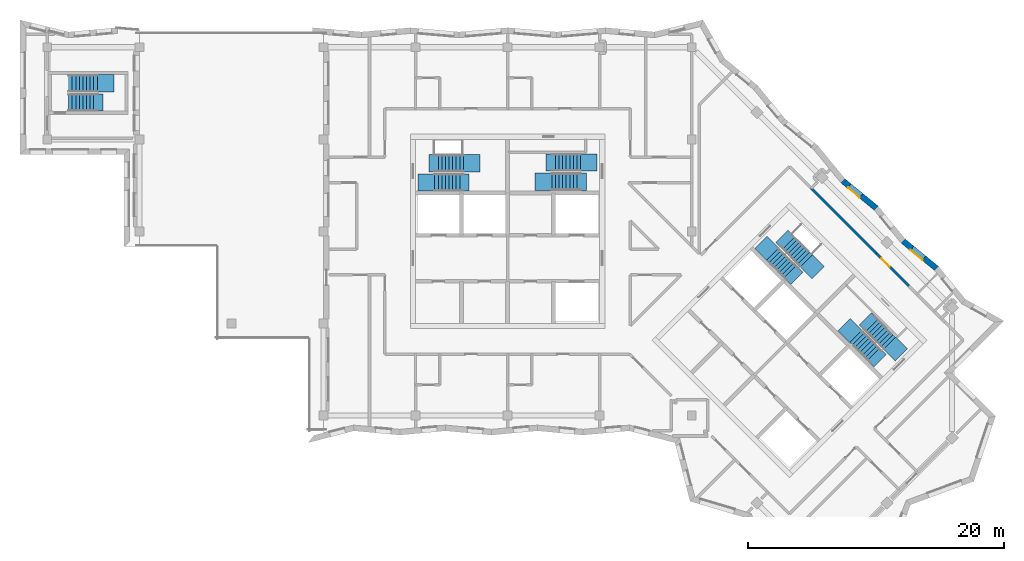
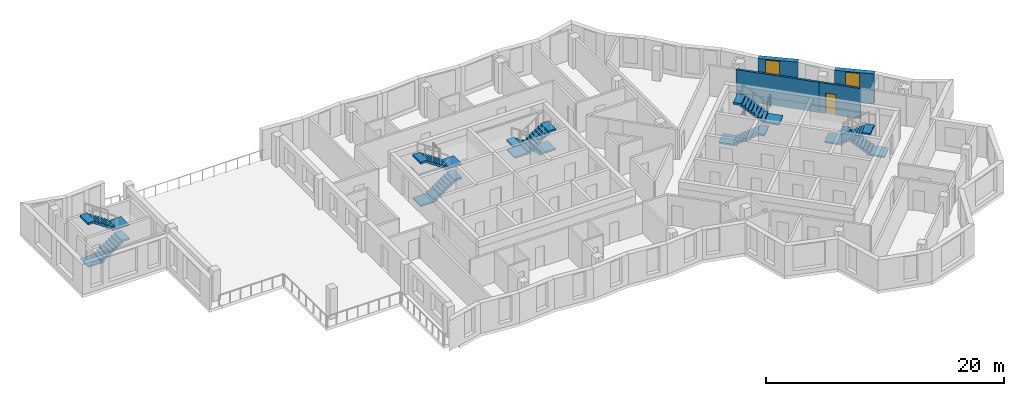
# One storey, part 8 of 12: 10 stair flights, 4 walls, 2 windows, 1 door, 3 openings, 5 elements without a shape of their own.
"""IFC4 building model written with IfcOpenShell, lengths in metres."""

from ifc_helpers import new_model, si_unit, direction, frame, frame_2d, origin, place, context, subcontext, project, spatial, polyline, rectangle, outline, extrude, material, layer, layer_set, type_object, element, fill, aggregate, save


model = new_model("IFC4")

# Units and contexts
model_context = context("Model", 3, precision=1e-05, world=origin(), true_north=direction((0.0, 1.0)))
body_context = subcontext(model_context, "Body", "Model", "MODEL_VIEW")
ifc_project = project(units=[si_unit("LENGTHUNIT", "METRE"), si_unit("AREAUNIT", "SQUARE_METRE"), si_unit("VOLUMEUNIT", "CUBIC_METRE"), si_unit("PLANEANGLEUNIT", "RADIAN"), si_unit("MASSUNIT", "GRAM", prefix="KILO")], contexts=[model_context])

# Site, building, storey
site_placement = place(None, origin())
site = spatial("IfcSite", under=ifc_project, at=site_placement, CompositionType="ELEMENT")
building_placement = place(site_placement, origin())
building = spatial("IfcBuilding", under=site, at=building_placement, Name="Windrow Commons", CompositionType="ELEMENT")
storey_placement = place(building_placement, frame((0.0, 0.0, 247.2)))
storey = spatial("IfcBuildingStorey", under=building, at=storey_placement, Name="L67", CompositionType="ELEMENT", Elevation=247.2)

# Wall, opening, window
ifc_material_1 = material(Name="Brick masonry, red clay brick", Category="masonry")
ifc_layer_1 = layer(ifc_material_1, 0.45)
ifc_layer_set_1 = layer_set([ifc_layer_1], Name="Brick facade wall 450")
wall_type_1 = type_object("IfcWallType", Name="Brick facade wall 450", PredefinedType="SOLIDWALL", material=ifc_layer_set_1)
wall_1_placement = place(storey_placement, frame((98.3254, 54.7186, 0.0), z_axis=(0.0, 0.0, 1.0), x_axis=(-0.7734281512, 0.6338839759, 0.0)))
wall_1 = element("IfcWall", 1, at=wall_1_placement, inside=storey, type_object=wall_type_1, Name="Brick facade wall L67 9", PredefinedType="SOLIDWALL", context=body_context, shape_type="SweptSolid", body=[
    extrude(outline(polyline([(-0.0223, -0.225), (3.3222, -0.225), (3.3669, 0.225), (0.0223, 0.225), (-0.0223, -0.225)])), origin(), (0.0, 0.0, 1.0), 3.1),
])
opening_1_placement = place(wall_1_placement, frame((1.2454, 0.0, 0.45)))
opening_1 = element("IfcOpeningElement", 2, at=opening_1_placement, cuts=wall_1, Name="Opening W7F", PredefinedType="OPENING", context=body_context, shape_type="SweptSolid", body=[
    extrude(rectangle(XDim=1.2, YDim=2.55, at=frame_2d((0.6, 1.275))), frame((0.0, 0.235, 0.0), z_axis=(0.0, -1.0, 0.0), x_axis=(1.0, 0.0, 0.0)), (0.0, 0.0, 1.0), 0.47),
])
ifc_material_2 = material(Name="Clear float glass in anodised aluminium frame", Category="aluminium")
window_type = type_object("IfcWindowType", Name="Window W7 notch 1200x2550", PartitioningType="SINGLE_PANEL", PredefinedType="WINDOW", material=ifc_material_2)
window_1_placement = place(opening_1_placement, origin())
window_1 = element("IfcWindow", 3, at=window_1_placement, inside=storey, type_object=window_type, Name="Window L67 9.1", OverallHeight=2.55, OverallWidth=1.2, PartitioningType="SINGLE_PANEL", PredefinedType="WINDOW", context=body_context, shape_type="SweptSolid", body=[
    extrude(rectangle(XDim=1.2, YDim=2.55, at=frame_2d((0.6, 1.275))), frame((0.0, 0.205, 0.0), z_axis=(0.0, -1.0, 0.0), x_axis=(1.0, 0.0, 0.0)), (0.0, 0.0, 1.0), 0.06),
])
fill(opening_1, window_1)

wall_2_placement = place(storey_placement, frame((93.6186, 59.4254, 0.0), z_axis=(0.0, 0.0, 1.0), x_axis=(-0.7734134923, 0.6339018614, 0.0)))
wall_2 = element("IfcWall", 4, at=wall_2_placement, inside=storey, type_object=wall_type_1, Name="Brick facade wall L67 11", PredefinedType="SOLIDWALL", context=body_context, shape_type="SweptSolid", body=[
    extrude(outline(polyline([(-0.0223, -0.225), (3.3222, -0.225), (3.3669, 0.225), (0.0223, 0.225), (-0.0223, -0.225)])), origin(), (0.0, 0.0, 1.0), 3.1),
])
opening_2_placement = place(wall_2_placement, frame((1.5185, 0.0, 0.45)))
opening_2 = element("IfcOpeningElement", 5, at=opening_2_placement, cuts=wall_2, Name="Opening W7F", PredefinedType="OPENING", context=body_context, shape_type="SweptSolid", body=[
    extrude(rectangle(XDim=1.2, YDim=2.55, at=frame_2d((0.6, 1.275))), frame((0.0, 0.235, 0.0), z_axis=(0.0, -1.0, 0.0), x_axis=(1.0, 0.0, 0.0)), (0.0, 0.0, 1.0), 0.47),
])
window_2_placement = place(opening_2_placement, origin())
window_2 = element("IfcWindow", 6, at=window_2_placement, inside=storey, type_object=window_type, Name="Window L67 11.1", OverallHeight=2.55, OverallWidth=1.2, PartitioningType="SINGLE_PANEL", PredefinedType="WINDOW", context=body_context, shape_type="SweptSolid", body=[
    extrude(rectangle(XDim=1.2, YDim=2.55, at=frame_2d((0.6, 1.275))), frame((0.0, 0.205, 0.0), z_axis=(0.0, -1.0, 0.0), x_axis=(1.0, 0.0, 0.0)), (0.0, 0.0, 1.0), 0.06),
])
fill(opening_2, window_2)

# Wall
ifc_material_3 = material(Name="Blockwork partition", Category="masonry")
ifc_layer_2 = layer(ifc_material_3, 0.2)
ifc_layer_set_2 = layer_set([ifc_layer_2], Name="IW-CORRIDOR-200")
wall_type_2 = type_object("IfcWallType", Name="IW-CORRIDOR-200", PredefinedType="PARTITIONING", material=ifc_layer_set_2)
wall_3_placement = place(storey_placement, frame((88.5346, 60.9706, 0.0), z_axis=(0.0, 0.0, 1.0), x_axis=(0.7069678741, -0.707245661, 0.0)))
element("IfcWall", 7, at=wall_3_placement, inside=storey, type_object=wall_type_2, Name="W-L67-W011", PredefinedType="PARTITIONING", context=body_context, shape_type="SweptSolid", body=[
    extrude(rectangle(XDim=7.1998, YDim=0.2, at=frame_2d((3.5999, 0.0))), origin(), (0.0, 0.0, 1.0), 3.1),
])

# Wall, opening, door
wall_4_placement = place(storey_placement, frame((93.629, 55.881, 0.0), z_axis=(0.0, 0.0, 1.0), x_axis=(0.7068288851, -0.7073845681, 0.0)))
wall_4 = element("IfcWall", 8, at=wall_4_placement, inside=storey, type_object=wall_type_2, Name="W-L67-W035", PredefinedType="PARTITIONING", context=body_context, shape_type="SweptSolid", body=[
    extrude(rectangle(XDim=3.5992, YDim=0.2, at=frame_2d((1.7996, 0.0))), origin(), (0.0, 0.0, 1.0), 3.1),
])
opening_3_placement = place(wall_4_placement, frame((0.5837, 0.0, 0.0)))
opening_3 = element("IfcOpeningElement", 9, at=opening_3_placement, cuts=wall_4, Name="Opening D109F", PredefinedType="OPENING", context=body_context, shape_type="SweptSolid", body=[
    extrude(rectangle(XDim=0.9, YDim=2.1, at=frame_2d((0.45, 1.05))), frame((0.0, 0.11, 0.0), z_axis=(0.0, -1.0, 0.0), x_axis=(1.0, 0.0, 0.0)), (0.0, 0.0, 1.0), 0.22),
])
ifc_material_4 = material(Name="Timber door leaf", Category="wood")
door_type = type_object("IfcDoorType", Name="DT-BEDROOM-900", OperationType="SINGLE_SWING_LEFT", PredefinedType="DOOR", material=ifc_material_4)
door_placement = place(opening_3_placement, origin())
door = element("IfcDoor", 10, at=door_placement, inside=storey, type_object=door_type, Name="D-L67-D020", OperationType="SINGLE_SWING_LEFT", OverallHeight=2.1, OverallWidth=0.9, PredefinedType="DOOR", context=body_context, shape_type="SweptSolid", body=[
    extrude(rectangle(XDim=0.9, YDim=2.1, at=frame_2d((0.45, 1.05))), frame((0.0, 0.025, 0.0), z_axis=(0.0, -1.0, 0.0), x_axis=(1.0, 0.0, 0.0)), (0.0, 0.0, 1.0), 0.05),
])
fill(opening_3, door)

# Stair, stair flights
ifc_material_5 = material(Name="Concrete C40/50", Category="concrete")
stair_type = type_object("IfcStairType", Name="Core stair", PredefinedType="HALF_TURN_STAIR", material=ifc_material_5)
placement = place(storey_placement, origin())
stair_1 = element("IfcStair", 11, at=placement, inside=storey, type_object=stair_type, Name="L67 Exit stair A1 core A", PredefinedType="HALF_TURN_STAIR")
ifc_material_6 = material(Name="Concrete C40/50", Category="concrete")
stair_flight_type = type_object("IfcStairFlightType", Name="Core stair flight", PredefinedType="STRAIGHT", material=ifc_material_6)
stair_flight_1_placement = place(storey_placement, frame((59.1, 61.425, 0.0), z_axis=(0.0, 0.0, 1.0), x_axis=(1.0, 0.0, 0.0)))
stair_flight_1 = element("IfcStairFlight", 12, at=stair_flight_1_placement, type_object=stair_flight_type, Name="ST-A1 flight 1", NumberOfRisers=9, NumberOfTreads=8, PredefinedType="STRAIGHT", RiserHeight=0.188888889, TreadLength=0.28, context=body_context, shape_type="SweptSolid", body=[
    extrude(outline(polyline([(-1.3, -0.15), (-1.3, 0.0), (0.0, 0.0), (0.0, 0.1889), (0.28, 0.1889), (0.28, 0.3778), (0.56, 0.3778), (0.56, 0.5667), (0.84, 0.5667), (0.84, 0.7556), (1.12, 0.7556), (1.12, 0.9444), (1.4, 0.9444), (1.4, 1.1333), (1.68, 1.1333), (1.68, 1.3222), (1.96, 1.3222), (1.96, 1.5111), (2.24, 1.5111), (2.69, 1.5111), (2.69, 1.3111), (2.24, 1.3111), (2.24, 1.3302), (0.2682, 0.0), (0.2682, -0.15), (-1.3, -0.15)])), frame((0.0, 0.675, 0.0), z_axis=(0.0, -1.0, 0.0), x_axis=(1.0, 0.0, 0.0)), (0.0, 0.0, 1.0), 1.35),
])
stair_flight_2_placement = place(storey_placement, frame((61.34, 62.925, 1.7), z_axis=(0.0, 0.0, 1.0), x_axis=(-1.0, 0.0, 0.0)))
stair_flight_2 = element("IfcStairFlight", 13, at=stair_flight_2_placement, type_object=stair_flight_type, Name="ST-A1 flight 2", NumberOfRisers=9, NumberOfTreads=8, PredefinedType="STRAIGHT", RiserHeight=0.188888889, TreadLength=0.28, context=body_context, shape_type="SweptSolid", body=[
    extrude(outline(polyline([(-1.3, -0.15), (-1.3, 0.0), (0.0, 0.0), (0.0, 0.1889), (0.28, 0.1889), (0.28, 0.3778), (0.56, 0.3778), (0.56, 0.5667), (0.84, 0.5667), (0.84, 0.7556), (1.12, 0.7556), (1.12, 0.9444), (1.4, 0.9444), (1.4, 1.1333), (1.68, 1.1333), (1.68, 1.3222), (1.96, 1.3222), (1.96, 1.5111), (2.24, 1.5111), (2.69, 1.5111), (2.69, 1.3111), (2.24, 1.3111), (2.24, 1.3302), (0.2682, 0.0), (0.2682, -0.15), (-1.3, -0.15)])), frame((0.0, 0.675, 0.0), z_axis=(0.0, -1.0, 0.0), x_axis=(1.0, 0.0, 0.0)), (0.0, 0.0, 1.0), 1.35),
])
aggregate(stair_1, [stair_flight_1, stair_flight_2])

stair_2 = element("IfcStair", 14, at=placement, inside=storey, type_object=stair_type, Name="L67 Exit stair A2 core A", PredefinedType="HALF_TURN_STAIR")
stair_flight_3_placement = place(storey_placement, frame((70.5, 62.98, 0.0), z_axis=(0.0, 0.0, 1.0), x_axis=(-1.0, 0.0, 0.0)))
stair_flight_3 = element("IfcStairFlight", 15, at=stair_flight_3_placement, type_object=stair_flight_type, Name="ST-A2 flight 1", NumberOfRisers=9, NumberOfTreads=8, PredefinedType="STRAIGHT", RiserHeight=0.188888889, TreadLength=0.28, context=body_context, shape_type="SweptSolid", body=[
    extrude(outline(polyline([(-1.3, -0.15), (-1.3, 0.0), (0.0, 0.0), (0.0, 0.1889), (0.28, 0.1889), (0.28, 0.3778), (0.56, 0.3778), (0.56, 0.5667), (0.84, 0.5667), (0.84, 0.7556), (1.12, 0.7556), (1.12, 0.9444), (1.4, 0.9444), (1.4, 1.1333), (1.68, 1.1333), (1.68, 1.3222), (1.96, 1.3222), (1.96, 1.5111), (2.24, 1.5111), (2.69, 1.5111), (2.69, 1.3111), (2.24, 1.3111), (2.24, 1.3302), (0.2682, 0.0), (0.2682, -0.15), (-1.3, -0.15)])), frame((0.0, 0.675, 0.0), z_axis=(0.0, -1.0, 0.0), x_axis=(1.0, 0.0, 0.0)), (0.0, 0.0, 1.0), 1.35),
])
stair_flight_4_placement = place(storey_placement, frame((68.26, 61.48, 1.7), z_axis=(0.0, 0.0, 1.0), x_axis=(1.0, 0.0, 0.0)))
stair_flight_4 = element("IfcStairFlight", 16, at=stair_flight_4_placement, type_object=stair_flight_type, Name="ST-A2 flight 2", NumberOfRisers=9, NumberOfTreads=8, PredefinedType="STRAIGHT", RiserHeight=0.188888889, TreadLength=0.28, context=body_context, shape_type="SweptSolid", body=[
    extrude(outline(polyline([(-1.3, -0.15), (-1.3, 0.0), (0.0, 0.0), (0.0, 0.1889), (0.28, 0.1889), (0.28, 0.3778), (0.56, 0.3778), (0.56, 0.5667), (0.84, 0.5667), (0.84, 0.7556), (1.12, 0.7556), (1.12, 0.9444), (1.4, 0.9444), (1.4, 1.1333), (1.68, 1.1333), (1.68, 1.3222), (1.96, 1.3222), (1.96, 1.5111), (2.24, 1.5111), (2.69, 1.5111), (2.69, 1.3111), (2.24, 1.3111), (2.24, 1.3302), (0.2682, 0.0), (0.2682, -0.15), (-1.3, -0.15)])), frame((0.0, 0.675, 0.0), z_axis=(0.0, -1.0, 0.0), x_axis=(1.0, 0.0, 0.0)), (0.0, 0.0, 1.0), 1.35),
])
aggregate(stair_2, [stair_flight_3, stair_flight_4])

stair_3 = element("IfcStair", 17, at=placement, inside=storey, type_object=stair_type, Name="L67 Exit stair B1 core B", PredefinedType="HALF_TURN_STAIR")
stair_flight_5_placement = place(storey_placement, frame((85.5109, 55.8249, 0.0), z_axis=(0.0, 0.0, 1.0), x_axis=(0.7071067812, -0.7071067812, 0.0)))
stair_flight_5 = element("IfcStairFlight", 18, at=stair_flight_5_placement, type_object=stair_flight_type, Name="ST-B1 flight 1", NumberOfRisers=9, NumberOfTreads=8, PredefinedType="STRAIGHT", RiserHeight=0.188888889, TreadLength=0.28, context=body_context, shape_type="SweptSolid", body=[
    extrude(outline(polyline([(-1.3, -0.15), (-1.3, 0.0), (0.0, 0.0), (0.0, 0.1889), (0.28, 0.1889), (0.28, 0.3778), (0.56, 0.3778), (0.56, 0.5667), (0.84, 0.5667), (0.84, 0.7556), (1.12, 0.7556), (1.12, 0.9444), (1.4, 0.9444), (1.4, 1.1333), (1.68, 1.1333), (1.68, 1.3222), (1.96, 1.3222), (1.96, 1.5111), (2.24, 1.5111), (2.69, 1.5111), (2.69, 1.3111), (2.24, 1.3111), (2.24, 1.3302), (0.2682, 0.0), (0.2682, -0.15), (-1.3, -0.15)])), frame((0.0, 0.675, 0.0), z_axis=(0.0, -1.0, 0.0), x_axis=(1.0, 0.0, 0.0)), (0.0, 0.0, 1.0), 1.35),
])
stair_flight_6_placement = place(storey_placement, frame((88.1555, 55.3017, 1.7), z_axis=(0.0, 0.0, 1.0), x_axis=(-0.7071067812, 0.7071067812, 0.0)))
stair_flight_6 = element("IfcStairFlight", 19, at=stair_flight_6_placement, type_object=stair_flight_type, Name="ST-B1 flight 2", NumberOfRisers=9, NumberOfTreads=8, PredefinedType="STRAIGHT", RiserHeight=0.188888889, TreadLength=0.28, context=body_context, shape_type="SweptSolid", body=[
    extrude(outline(polyline([(-1.3, -0.15), (-1.3, 0.0), (0.0, 0.0), (0.0, 0.1889), (0.28, 0.1889), (0.28, 0.3778), (0.56, 0.3778), (0.56, 0.5667), (0.84, 0.5667), (0.84, 0.7556), (1.12, 0.7556), (1.12, 0.9444), (1.4, 0.9444), (1.4, 1.1333), (1.68, 1.1333), (1.68, 1.3222), (1.96, 1.3222), (1.96, 1.5111), (2.24, 1.5111), (2.69, 1.5111), (2.69, 1.3111), (2.24, 1.3111), (2.24, 1.3302), (0.2682, 0.0), (0.2682, -0.15), (-1.3, -0.15)])), frame((0.0, 0.675, 0.0), z_axis=(0.0, -1.0, 0.0), x_axis=(1.0, 0.0, 0.0)), (0.0, 0.0, 1.0), 1.35),
])
aggregate(stair_3, [stair_flight_5, stair_flight_6])

stair_4 = element("IfcStair", 20, at=placement, inside=storey, type_object=stair_type, Name="L67 Exit stair B2 core B", PredefinedType="HALF_TURN_STAIR")
stair_flight_7_placement = place(storey_placement, frame((94.6715, 48.8635, 0.0), z_axis=(0.0, 0.0, 1.0), x_axis=(-0.7071067812, 0.7071067812, 0.0)))
stair_flight_7 = element("IfcStairFlight", 21, at=stair_flight_7_placement, type_object=stair_flight_type, Name="ST-B2 flight 1", NumberOfRisers=9, NumberOfTreads=8, PredefinedType="STRAIGHT", RiserHeight=0.188888889, TreadLength=0.28, context=body_context, shape_type="SweptSolid", body=[
    extrude(outline(polyline([(-1.3, -0.15), (-1.3, 0.0), (0.0, 0.0), (0.0, 0.1889), (0.28, 0.1889), (0.28, 0.3778), (0.56, 0.3778), (0.56, 0.5667), (0.84, 0.5667), (0.84, 0.7556), (1.12, 0.7556), (1.12, 0.9444), (1.4, 0.9444), (1.4, 1.1333), (1.68, 1.1333), (1.68, 1.3222), (1.96, 1.3222), (1.96, 1.5111), (2.24, 1.5111), (2.69, 1.5111), (2.69, 1.3111), (2.24, 1.3111), (2.24, 1.3302), (0.2682, 0.0), (0.2682, -0.15), (-1.3, -0.15)])), frame((0.0, 0.675, 0.0), z_axis=(0.0, -1.0, 0.0), x_axis=(1.0, 0.0, 0.0)), (0.0, 0.0, 1.0), 1.35),
])
stair_flight_8_placement = place(storey_placement, frame((92.0269, 49.3867, 1.7), z_axis=(0.0, 0.0, 1.0), x_axis=(0.7071067812, -0.7071067812, 0.0)))
stair_flight_8 = element("IfcStairFlight", 22, at=stair_flight_8_placement, type_object=stair_flight_type, Name="ST-B2 flight 2", NumberOfRisers=9, NumberOfTreads=8, PredefinedType="STRAIGHT", RiserHeight=0.188888889, TreadLength=0.28, context=body_context, shape_type="SweptSolid", body=[
    extrude(outline(polyline([(-1.3, -0.15), (-1.3, 0.0), (0.0, 0.0), (0.0, 0.1889), (0.28, 0.1889), (0.28, 0.3778), (0.56, 0.3778), (0.56, 0.5667), (0.84, 0.5667), (0.84, 0.7556), (1.12, 0.7556), (1.12, 0.9444), (1.4, 0.9444), (1.4, 1.1333), (1.68, 1.1333), (1.68, 1.3222), (1.96, 1.3222), (1.96, 1.5111), (2.24, 1.5111), (2.69, 1.5111), (2.69, 1.3111), (2.24, 1.3111), (2.24, 1.3302), (0.2682, 0.0), (0.2682, -0.15), (-1.3, -0.15)])), frame((0.0, 0.675, 0.0), z_axis=(0.0, -1.0, 0.0), x_axis=(1.0, 0.0, 0.0)), (0.0, 0.0, 1.0), 1.35),
])
aggregate(stair_4, [stair_flight_7, stair_flight_8])

stair_5 = element("IfcStair", 23, at=placement, inside=storey, type_object=stair_type, Name="L67 Exit stair W", PredefinedType="HALF_TURN_STAIR")
stair_flight_9_placement = place(storey_placement, frame((30.475, 67.675, 0.0), z_axis=(0.0, 0.0, 1.0), x_axis=(1.0, 0.0, 0.0)))
stair_flight_9 = element("IfcStairFlight", 24, at=stair_flight_9_placement, type_object=stair_flight_type, Name="ST-W flight 1", NumberOfRisers=9, NumberOfTreads=8, PredefinedType="STRAIGHT", RiserHeight=0.188888889, TreadLength=0.28, context=body_context, shape_type="SweptSolid", body=[
    extrude(outline(polyline([(-1.3, -0.15), (-1.3, 0.0), (0.0, 0.0), (0.0, 0.1889), (0.28, 0.1889), (0.28, 0.3778), (0.56, 0.3778), (0.56, 0.5667), (0.84, 0.5667), (0.84, 0.7556), (1.12, 0.7556), (1.12, 0.9444), (1.4, 0.9444), (1.4, 1.1333), (1.68, 1.1333), (1.68, 1.3222), (1.96, 1.3222), (1.96, 1.5111), (2.24, 1.5111), (2.69, 1.5111), (2.69, 1.3111), (2.24, 1.3111), (2.24, 1.3302), (0.2682, 0.0), (0.2682, -0.15), (-1.3, -0.15)])), frame((0.0, 0.675, 0.0), z_axis=(0.0, -1.0, 0.0), x_axis=(1.0, 0.0, 0.0)), (0.0, 0.0, 1.0), 1.35),
])
stair_flight_10_placement = place(storey_placement, frame((32.715, 69.175, 1.7), z_axis=(0.0, 0.0, 1.0), x_axis=(-1.0, 0.0, 0.0)))
stair_flight_10 = element("IfcStairFlight", 25, at=stair_flight_10_placement, type_object=stair_flight_type, Name="ST-W flight 2", NumberOfRisers=9, NumberOfTreads=8, PredefinedType="STRAIGHT", RiserHeight=0.188888889, TreadLength=0.28, context=body_context, shape_type="SweptSolid", body=[
    extrude(outline(polyline([(-1.3, -0.15), (-1.3, 0.0), (0.0, 0.0), (0.0, 0.1889), (0.28, 0.1889), (0.28, 0.3778), (0.56, 0.3778), (0.56, 0.5667), (0.84, 0.5667), (0.84, 0.7556), (1.12, 0.7556), (1.12, 0.9444), (1.4, 0.9444), (1.4, 1.1333), (1.68, 1.1333), (1.68, 1.3222), (1.96, 1.3222), (1.96, 1.5111), (2.24, 1.5111), (2.69, 1.5111), (2.69, 1.3111), (2.24, 1.3111), (2.24, 1.3302), (0.2682, 0.0), (0.2682, -0.15), (-1.3, -0.15)])), frame((0.0, 0.675, 0.0), z_axis=(0.0, -1.0, 0.0), x_axis=(1.0, 0.0, 0.0)), (0.0, 0.0, 1.0), 1.35),
])
aggregate(stair_5, [stair_flight_9, stair_flight_10])

save(model, "model.ifc")
